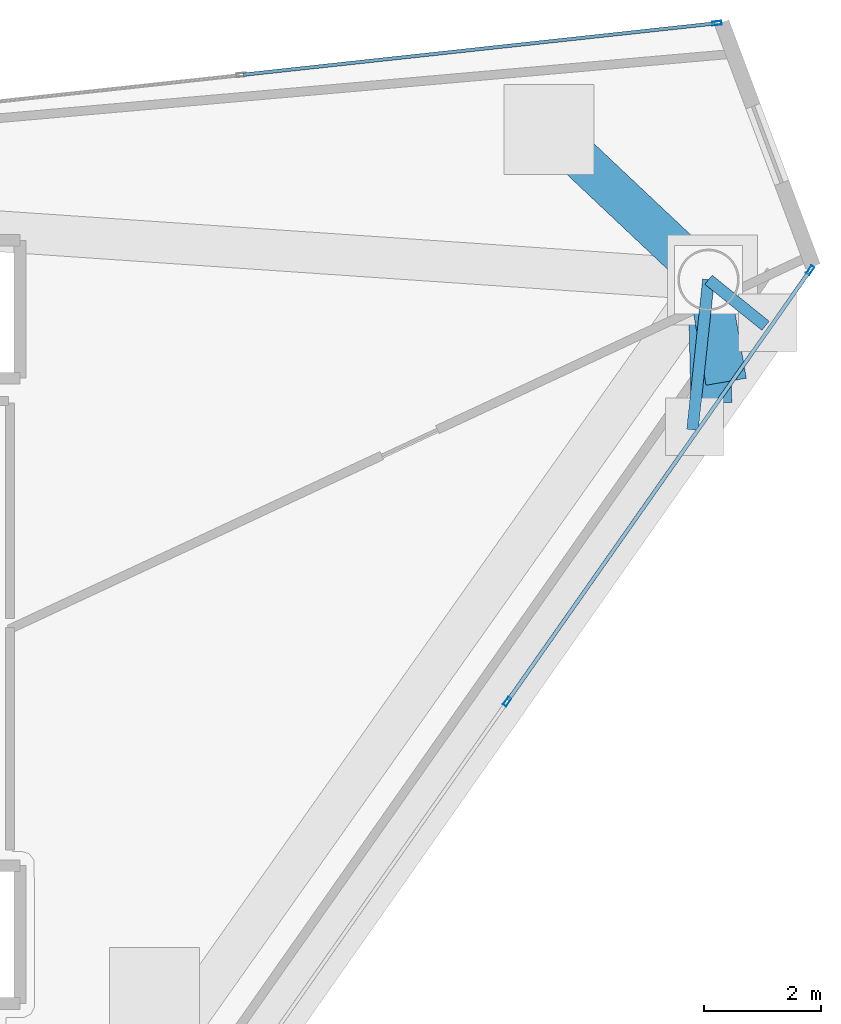
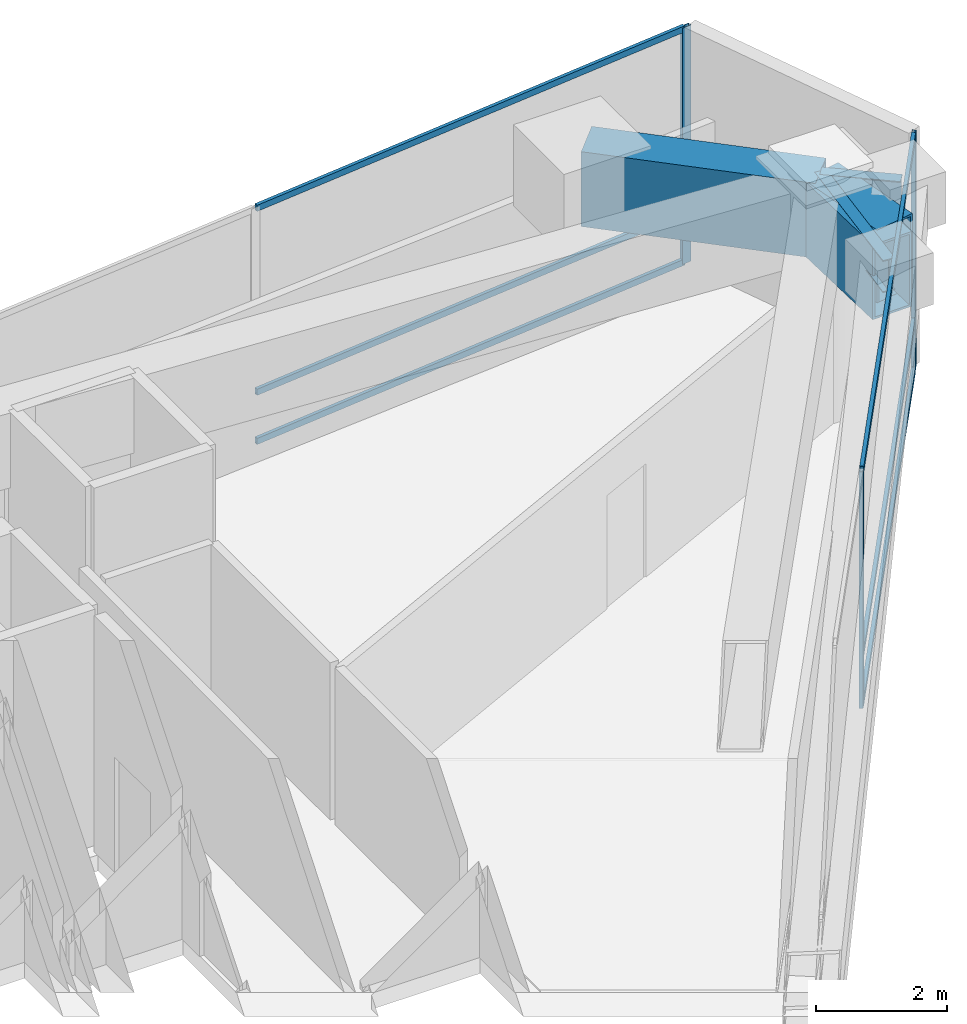
# One storey, part 16 of 21: 9 members, 5 beams, 2 elements without a shape of their own.
"""IFC4 building model written with IfcOpenShell, lengths in metres."""

import ifcopenshell
import ifcopenshell.guid

model = None  # the IFC model being written
_history = None  # IfcOwnerHistory: only IFC2X3 demands one
_inside = {}  # id of a spatial element -> (the spatial element, [elements in it])
_under = {}  # id of a project, library or spatial element -> (it, [spatial elements below it])
_declared = {}  # id of a project -> (the project, [libraries it declares])
_typed = {}  # id of a type object -> (the type object, [elements of that type])
_made_of = {}  # id of a material, layer set ... -> (it, [elements and type objects made of it])


def new_model(schema):
    """Start an empty IFC model of exactly this schema.

    Asked for "IFC4X3", IfcOpenShell would pick the latest addendum, in which some entities
    have other attributes; the version numbers below select the first issue.
    IFC2X3 requires an IfcOwnerHistory on every rooted entity: one is made here for all.
    """
    global model, _history
    if schema == "IFC4X3":
        model = ifcopenshell.file(schema_version=(4, 3, 0, 0))
    else:
        model = ifcopenshell.file(schema=schema)
    _inside.clear()
    _under.clear()
    _declared.clear()
    _typed.clear()
    _made_of.clear()
    _history = None
    if model.schema == "IFC2X3":
        org = make("IfcOrganization", Name="unknown")
        user = make(
            "IfcPersonAndOrganization",
            ThePerson=make("IfcPerson", FamilyName="unknown"),
            TheOrganization=org,
        )
        app = make(
            "IfcApplication",
            ApplicationDeveloper=org,
            Version="unknown",
            ApplicationFullName="unknown",
            ApplicationIdentifier="unknown",
        )
        _history = make(
            "IfcOwnerHistory",
            OwningUser=user,
            OwningApplication=app,
            ChangeAction="ADDED",
            CreationDate=0,
        )
    return model


def make(cls, **values):
    """One entity of the class cls with the attributes given. An attribute that is None is left unset."""
    return model.create_entity(
        cls, **{name: value for name, value in values.items() if value is not None}
    )


def rooted(cls, **values):
    """An entity with a GlobalId (a new one), such as an element, a storey or a relation."""
    return make(cls, GlobalId=ifcopenshell.guid.new(), OwnerHistory=_history, **values)


def si_unit(unit_type, name, prefix=None):
    """IfcSIUnit, for example si_unit("LENGTHUNIT", "METRE", prefix="MILLI")."""
    return make("IfcSIUnit", UnitType=unit_type, Prefix=prefix, Name=name)


def assignment(units):
    """IfcUnitAssignment: the units of a project."""
    return None if units is None else make("IfcUnitAssignment", Units=units)


def point(xyz):
    """IfcCartesianPoint."""
    return None if xyz is None else make("IfcCartesianPoint", Coordinates=xyz)


def direction(xyz):
    """IfcDirection."""
    return None if xyz is None else make("IfcDirection", DirectionRatios=xyz)


def frame(location, z_axis=None, x_axis=None):
    """IfcAxis2Placement3D, a coordinate frame: its origin and axes. An axis left out is left unset."""
    return make(
        "IfcAxis2Placement3D",
        Location=point(location),
        Axis=direction(z_axis),
        RefDirection=direction(x_axis),
    )


def frame_2d(location, x_axis=None):
    """IfcAxis2Placement2D, a coordinate frame in the plane: its origin and x axis."""
    return make(
        "IfcAxis2Placement2D", Location=point(location), RefDirection=direction(x_axis)
    )


def origin():
    """The frame at (0, 0, 0) with its axes left unset."""
    return frame((0.0, 0.0, 0.0))


def origin_2d():
    """The frame at (0, 0) in the plane with its x axis left unset."""
    return frame_2d((0.0, 0.0))


def place(relative_to, where):
    """IfcLocalPlacement: puts the frame where relative to a parent placement (None: the world)."""
    return make(
        "IfcLocalPlacement", PlacementRelTo=relative_to, RelativePlacement=where
    )


def context(
    kind, dimensions, precision=None, world=None, true_north=None, identifier=None
):
    """IfcGeometricRepresentationContext, for example the 3D "Model" context."""
    return make(
        "IfcGeometricRepresentationContext",
        ContextIdentifier=identifier,
        ContextType=kind,
        CoordinateSpaceDimension=dimensions,
        Precision=precision,
        WorldCoordinateSystem=world,
        TrueNorth=true_north,
    )


def subcontext(parent, identifier, kind, view, scale=None):
    """IfcGeometricRepresentationSubContext, for example "Body" below "Model"."""
    return make(
        "IfcGeometricRepresentationSubContext",
        ContextIdentifier=identifier,
        ContextType=kind,
        ParentContext=parent,
        TargetScale=scale,
        TargetView=view,
    )


def project(units=None, contexts=None):
    """IfcProject with its units and contexts."""
    return rooted(
        "IfcProject",
        Name="project",
        RepresentationContexts=contexts,
        UnitsInContext=assignment(units),
    )


def spatial(cls, under=None, at=None, **own):
    """A site, building, storey or space (cls), placed at a placement, below another one or the project."""
    s = rooted(cls, ObjectPlacement=at, **own)
    if under is not None:
        _under.setdefault(under.id(), (under, []))[1].append(s)
    return s


def profile(cls, at=None, kind="AREA", **sizes):
    """A parametric profile (cls). Its sizes go by their IFC names, for example OverallWidth=200.0."""
    return make(cls, ProfileType=kind, Position=at, **sizes)


def hollow_rectangle(**sizes):
    """IfcRectangleHollowProfileDef."""
    return profile("IfcRectangleHollowProfileDef", **sizes)


def i_section(**sizes):
    """IfcIShapeProfileDef."""
    return profile("IfcIShapeProfileDef", **sizes)


def extrude(swept, where, along, depth):
    """IfcExtrudedAreaSolid: the profile swept, set in the frame where, extruded along a direction by depth."""
    return make(
        "IfcExtrudedAreaSolid",
        SweptArea=swept,
        Position=where,
        ExtrudedDirection=direction(along),
        Depth=depth,
    )


def shape(context_of_items, identifier, shape_type, items):
    """IfcShapeRepresentation: the items that make up one representation, for example the "Body"."""
    return make(
        "IfcShapeRepresentation",
        ContextOfItems=context_of_items,
        RepresentationIdentifier=identifier,
        RepresentationType=shape_type,
        Items=items,
    )


def material(Name=None, Category=None):
    """IfcMaterial."""
    return make("IfcMaterial", Name=Name, Category=Category)


def layer(
    of_material, thickness, ventilated=None, Name=None, Category=None, Priority=None
):
    """IfcMaterialLayer: one layer of a wall or slab, of a material (None: an air gap)."""
    return make(
        "IfcMaterialLayer",
        Material=of_material,
        LayerThickness=thickness,
        IsVentilated=ventilated,
        Name=Name,
        Category=Category,
        Priority=Priority,
    )


def layer_set(layers, Name=None):
    """IfcMaterialLayerSet."""
    return make("IfcMaterialLayerSet", MaterialLayers=layers, LayerSetName=Name)


def material_profile(
    of_material, cross_section, Name=None, Category=None, Priority=None
):
    """IfcMaterialProfile: a cross section and its material."""
    return make(
        "IfcMaterialProfile",
        Name=Name,
        Material=of_material,
        Profile=cross_section,
        Priority=Priority,
        Category=Category,
    )


def profile_set(profiles, Name=None, composite=None):
    """IfcMaterialProfileSet."""
    return make(
        "IfcMaterialProfileSet",
        Name=Name,
        MaterialProfiles=profiles,
        CompositeProfile=composite,
    )


def made_of(thing, what):
    """Note that an element or type object is made of a material, layer set ...; save() writes the relation."""
    if what is not None:
        _made_of.setdefault(what.id(), (what, []))[1].append(thing)
    return thing


def type_object(cls, material=None, **own):
    """A type object (cls), such as IfcWallType, which elements share."""
    return made_of(rooted(cls, **own), material)


def element(
    cls,
    number,
    at=None,
    inside=None,
    cuts=None,
    type_object=None,
    material=None,
    context=None,
    identifier="Body",
    shape_type=None,
    held_by="IfcProductDefinitionShape",
    body=None,
    shapes=None,
    **own,
):
    """One element of the class cls, such as IfcWall. Its Tag is "e" and its number.

    at: its placement. inside: the storey or other place that contains it. cuts: it is an
    opening in that element (IfcRelVoidsElement). A single representation is given by context,
    identifier, shape_type and body (its items); several are given by shapes. held_by: the class
    of the entity that holds the representations. save() writes the other relations.
    """
    e = rooted(cls, Tag="e%d" % number, ObjectPlacement=at, **own)
    if body is not None:
        shapes = [shape(context, identifier, shape_type, body)]
    if shapes is not None:
        e.Representation = make(held_by, Representations=shapes)
    if inside is not None:
        _inside.setdefault(inside.id(), (inside, []))[1].append(e)
    if cuts is not None:
        rooted(
            "IfcRelVoidsElement", RelatingBuildingElement=cuts, RelatedOpeningElement=e
        )
    if type_object is not None:
        _typed.setdefault(type_object.id(), (type_object, []))[1].append(e)
    return made_of(e, material)


def aggregate(whole, parts):
    """IfcRelAggregates: a whole, such as a stair, and the parts it consists of."""
    return rooted("IfcRelAggregates", RelatingObject=whole, RelatedObjects=parts)


def save(model, path):
    """Write the relations noted so far, then the file.

    IfcRelAggregates (storeys below a building ...), IfcRelContainedInSpatialStructure (elements
    in a storey), IfcRelDefinesByType, IfcRelAssociatesMaterial and IfcRelDeclares: one each for
    every whole, place, type object, material and project.
    """
    for whole, parts in _under.values():
        aggregate(whole, parts)
    for where, things in _inside.values():
        rooted(
            "IfcRelContainedInSpatialStructure",
            RelatedElements=things,
            RelatingStructure=where,
        )
    for kind, things in _typed.values():
        rooted("IfcRelDefinesByType", RelatedObjects=things, RelatingType=kind)
    for what, things in _made_of.values():
        rooted("IfcRelAssociatesMaterial", RelatedObjects=things, RelatingMaterial=what)
    for by, libraries in _declared.values():
        rooted("IfcRelDeclares", RelatingContext=by, RelatedDefinitions=libraries)
    model.write(path)


model = new_model("IFC4")

# Units and contexts
model_context = context("Model", 3, precision=1e-05, world=origin(), true_north=direction((0.0, 1.0)))
body_context = subcontext(model_context, "Body", "Model", "MODEL_VIEW")
ifc_project = project(units=[si_unit("LENGTHUNIT", "METRE"), si_unit("AREAUNIT", "SQUARE_METRE"), si_unit("VOLUMEUNIT", "CUBIC_METRE"), si_unit("PLANEANGLEUNIT", "RADIAN"), si_unit("MASSUNIT", "GRAM", prefix="KILO")], contexts=[model_context])

# Site, building, storey
site_placement = place(None, origin())
site = spatial("IfcSite", under=ifc_project, at=site_placement, CompositionType="ELEMENT")
building_placement = place(site_placement, origin())
building = spatial("IfcBuilding", under=site, at=building_placement, Name="Qianvela Tower", CompositionType="ELEMENT")
storey_placement = place(building_placement, frame((0.0, 0.0, 276.0)))
storey = spatial("IfcBuildingStorey", under=building, at=storey_placement, Name="L71", CompositionType="ELEMENT", Elevation=276.0)

# Beams
ifc_material_1 = material(Name="Steel Q355B", Category="steel")
ifc_material_profile_1 = material_profile(ifc_material_1, i_section(OverallWidth=0.199951171875, OverallDepth=0.60009765625, WebThickness=0.010986328125, FlangeThickness=0.01708984375, at=origin_2d()), Name="HN600x200x11x17")
ifc_profile_set_1 = profile_set([ifc_material_profile_1], Name="Steel Q355B")
beam_type_1 = type_object("IfcBeamType", Name="BM-HN600-GIRD", PredefinedType="BEAM", material=ifc_profile_set_1)
beam_1_placement = place(storey_placement, frame((55.33203125, 34.60498046875, 4.117919921875), z_axis=(-0.106579871637, -0.994304144094, 0.0), x_axis=(0.994304144094, -0.106579871637, 0.0)))
element("IfcBeam", 1, at=beam_1_placement, inside=storey, type_object=beam_type_1, Name="L71 Mega-Brace Column Tie Bracket F3-1", PredefinedType="BEAM", context=body_context, shape_type="SweptSolid", body=[
    extrude(i_section(OverallWidth=0.199951171875, OverallDepth=0.60009765625, WebThickness=0.010986328125, FlangeThickness=0.01708984375, at=origin_2d()), origin(), (0.0, 0.0, 1.0), 2.58154296875),
])
beam_2_placement = place(storey_placement, frame((55.33203125, 34.60498046875, 4.117919921875), z_axis=(0.778124284556, -0.628110338861, 0.0), x_axis=(0.628110338861, 0.778124284556, 0.0)))
element("IfcBeam", 2, at=beam_2_placement, inside=storey, type_object=beam_type_1, Name="L71 Mega-Brace Column Tie Bracket F3-2", PredefinedType="BEAM", context=body_context, shape_type="SweptSolid", body=[
    extrude(i_section(OverallWidth=0.199951171875, OverallDepth=0.60009765625, WebThickness=0.010986328125, FlangeThickness=0.01708984375, at=origin_2d()), origin(), (0.0, 0.0, 1.0), 1.253173828125),
])
ifc_material_2 = material(Name="Steel Q420GJC", Category="steel")
ifc_material_profile_2 = material_profile(ifc_material_2, hollow_rectangle(XDim=0.699951171875, YDim=1.39990234375, WallThickness=0.0400390625, at=origin_2d()), Name="TG-BOX-1400x700x40")
ifc_profile_set_2 = profile_set([ifc_material_profile_2], Name="Steel Q420GJC")
beam_type_2 = type_object("IfcBeamType", Name="BM-TG-STEP-1400", PredefinedType="BEAM", material=ifc_profile_set_2)
beam_3_placement = place(storey_placement, frame((55.33203125, 34.60498046875, 3.715087890625), z_axis=(0.023300722259, -0.999728501315, 0.0), x_axis=(0.999728501315, 0.023300722259, 0.0)))
element("IfcBeam", 3, at=beam_3_placement, inside=storey, type_object=beam_type_2, Name="L71 Mega-Brace Zone Base Bracket F3-1", PredefinedType="BEAM", context=body_context, shape_type="SweptSolid", body=[
    extrude(hollow_rectangle(XDim=0.699951171875, YDim=1.39990234375, WallThickness=0.0400390625, at=origin_2d()), origin(), (0.0, 0.0, 1.0), 2.10595703125),
])
beam_4_placement = place(storey_placement, frame((55.33203125, 34.60498046875, 3.715087890625), z_axis=(0.17049768376, -0.985358076961, 0.0), x_axis=(0.985358076961, 0.17049768376, 0.0)))
element("IfcBeam", 4, at=beam_4_placement, inside=storey, type_object=beam_type_2, Name="L71 Mega-Brace Zone Base Bracket F3-2", PredefinedType="BEAM", context=body_context, shape_type="SweptSolid", body=[
    extrude(hollow_rectangle(XDim=0.699951171875, YDim=1.39990234375, WallThickness=0.0400390625, at=origin_2d()), origin(), (0.0, 0.0, 1.0), 1.771240234375),
])
beam_5_placement = place(storey_placement, frame((55.33203125, 34.60498046875, 3.718017578125), z_axis=(-0.727680960087, 0.685915753082, 0.0), x_axis=(-0.685915753082, -0.727680960087, 0.0)))
element("IfcBeam", 5, at=beam_5_placement, inside=storey, type_object=beam_type_2, Name="L71 Zone-Step Transfer Girder 1", PredefinedType="BEAM", context=body_context, shape_type="SweptSolid", body=[
    extrude(hollow_rectangle(XDim=0.699951171875, YDim=1.39990234375, WallThickness=0.0400390625, at=origin_2d()), origin(), (0.0, 0.0, 1.0), 3.6884765625),
])

# Curtain wall, members
ifc_material_3 = material(Name="Anodised Architectural Aluminium and Insulated Spandrel Panel", Category="aluminium")
ifc_layer_1 = layer(ifc_material_3, 0.179931640625)
ifc_layer_set_1 = layer_set([ifc_layer_1], Name="Anodised Architectural Aluminium and Insulated Spandrel Panel")
curtain_wall_type_1 = type_object("IfcCurtainWallType", Name="CW-BRACEBAY", PredefinedType="USERDEFINED", material=ifc_layer_set_1)
curtain_wall_1_placement = place(storey_placement, origin())
curtain_wall_1 = element("IfcCurtainWall", 6, at=curtain_wall_1_placement, inside=storey, type_object=curtain_wall_type_1, Name="L71 CW-BRACEBAY Curtain Wall 06B", ObjectType="CURTAIN_WALL_SYSTEM", PredefinedType="USERDEFINED")
ifc_material_4 = material(Name="Anodised Architectural Aluminium 6063-T6", Category="aluminium")
ifc_material_profile_3 = material_profile(ifc_material_4, hollow_rectangle(XDim=0.06494140625, YDim=0.159912109375, WallThickness=0.0048828125, at=origin_2d()), Name="ALU-MULL-65x160")
ifc_profile_set_3 = profile_set([ifc_material_profile_3], Name="Anodised Architectural Aluminium 6063-T6")
member_type_1 = type_object("IfcMemberType", Name="CW-BRACEBAY-MULL", PredefinedType="MULLION", material=ifc_profile_set_3)
member_1_placement = place(storey_placement, frame((51.88720703125, 27.38671875, 0.0), z_axis=(0.0, 0.0, 1.0), x_axis=(-0.818277774652, 0.574823001898, 0.0)))
member_1 = element("IfcMember", 7, at=member_1_placement, type_object=member_type_1, Name="CW-9 mullion 2", PredefinedType="MULLION", context=body_context, shape_type="SweptSolid", body=[
    extrude(hollow_rectangle(XDim=0.06494140625, YDim=0.159912109375, WallThickness=0.0048828125, at=origin_2d()), origin(), (0.0, 0.0, 1.0), 4.419921875),
])
member_2_placement = place(storey_placement, frame((57.072509765625, 34.76806640625, 0.0), z_axis=(0.0, 0.0, 1.0), x_axis=(-0.818277774652, 0.574823001898, 0.0)))
member_2 = element("IfcMember", 8, at=member_2_placement, type_object=member_type_1, Name="CW-9 mullion 3", PredefinedType="MULLION", context=body_context, shape_type="SweptSolid", body=[
    extrude(hollow_rectangle(XDim=0.06494140625, YDim=0.159912109375, WallThickness=0.0048828125, at=origin_2d()), origin(), (0.0, 0.0, 1.0), 4.419921875),
])
ifc_material_5 = material(Name="Anodised Architectural Aluminium 6063-T6", Category="aluminium")
ifc_material_profile_4 = material_profile(ifc_material_5, hollow_rectangle(XDim=0.06494140625, YDim=0.1298828125, WallThickness=0.00439453125, at=origin_2d()), Name="ALU-TRAN-65x130")
ifc_profile_set_4 = profile_set([ifc_material_profile_4], Name="Anodised Architectural Aluminium 6063-T6")
member_type_2 = type_object("IfcMemberType", Name="CW-BRACEBAY-TRAN", PredefinedType="USERDEFINED", material=ifc_profile_set_4)
member_3_placement = place(storey_placement, frame((51.90576171875, 27.413330078125, 0.032470703125), z_axis=(0.574848346927, 0.818259969714, 0.0), x_axis=(-0.818259969714, 0.574848346927, 0.0)))
member_3 = element("IfcMember", 9, at=member_3_placement, type_object=member_type_2, Name="CW-9 transom 2.1", ObjectType="TRANSOM", PredefinedType="USERDEFINED", context=body_context, shape_type="SweptSolid", body=[
    extrude(hollow_rectangle(XDim=0.06494140625, YDim=0.1298828125, WallThickness=0.00439453125, at=origin_2d()), origin(), (0.0, 0.0, 1.0), 8.955810546875),
])
member_4_placement = place(storey_placement, frame((51.90576171875, 27.413330078125, 0.949951171875), z_axis=(0.574848346927, 0.818259969714, 0.0), x_axis=(-0.818259969714, 0.574848346927, 0.0)))
member_4 = element("IfcMember", 10, at=member_4_placement, type_object=member_type_2, Name="CW-9 transom 2.2", ObjectType="TRANSOM", PredefinedType="USERDEFINED", context=body_context, shape_type="SweptSolid", body=[
    extrude(hollow_rectangle(XDim=0.06494140625, YDim=0.1298828125, WallThickness=0.00439453125, at=origin_2d()), origin(), (0.0, 0.0, 1.0), 8.955810546875),
])
member_5_placement = place(storey_placement, frame((51.90576171875, 27.413330078125, 4.387451171875), z_axis=(0.574848346927, 0.818259969714, 0.0), x_axis=(-0.818259969714, 0.574848346927, 0.0)))
member_5 = element("IfcMember", 11, at=member_5_placement, type_object=member_type_2, Name="CW-9 transom 2.3", ObjectType="TRANSOM", PredefinedType="USERDEFINED", context=body_context, shape_type="SweptSolid", body=[
    extrude(hollow_rectangle(XDim=0.06494140625, YDim=0.1298828125, WallThickness=0.00439453125, at=origin_2d()), origin(), (0.0, 0.0, 1.0), 8.955810546875),
])
aggregate(curtain_wall_1, [member_1, member_2, member_3, member_4, member_5])

ifc_material_6 = material(Name="Anodised Architectural Aluminium and Low-E Glass", Category="aluminium")
ifc_layer_2 = layer(ifc_material_6, 0.159912109375)
ifc_layer_set_2 = layer_set([ifc_layer_2], Name="Anodised Architectural Aluminium and Low-E Glass")
curtain_wall_type_2 = type_object("IfcCurtainWallType", Name="CW-COLIV-Z56", PredefinedType="USERDEFINED", material=ifc_layer_set_2)
curtain_wall_2_placement = place(storey_placement, origin())
curtain_wall_2 = element("IfcCurtainWall", 12, at=curtain_wall_2_placement, inside=storey, type_object=curtain_wall_type_2, Name="L71 CW-COLIV-Z56 Curtain Wall 02A", ObjectType="CURTAIN_WALL_SYSTEM", PredefinedType="USERDEFINED")
ifc_material_7 = material(Name="Anodised Architectural Aluminium 6063-T6", Category="aluminium")
ifc_material_profile_5 = material_profile(ifc_material_7, hollow_rectangle(XDim=0.06494140625, YDim=0.159912109375, WallThickness=0.0048828125, at=origin_2d()), Name="ALU-MULL-65x160")
ifc_profile_set_5 = profile_set([ifc_material_profile_5], Name="Anodised Architectural Aluminium 6063-T6")
member_type_3 = type_object("IfcMemberType", Name="CW-COLIV-Z56-MULL", PredefinedType="MULLION", material=ifc_profile_set_5)
member_6_placement = place(storey_placement, frame((55.47607421875, 38.995361328125, 0.0), z_axis=(0.0, 0.0, 1.0), x_axis=(0.108120604534, -0.994137784653, 0.0)))
member_6 = element("IfcMember", 13, at=member_6_placement, type_object=member_type_3, Name="CW-5 mullion 1", PredefinedType="MULLION", context=body_context, shape_type="SweptSolid", body=[
    extrude(hollow_rectangle(XDim=0.06494140625, YDim=0.159912109375, WallThickness=0.0048828125, at=origin_2d()), origin(), (0.0, 0.0, 1.0), 4.419921875),
])
ifc_material_8 = material(Name="Anodised Architectural Aluminium 6063-T6", Category="aluminium")
ifc_material_profile_6 = material_profile(ifc_material_8, hollow_rectangle(XDim=0.06005859375, YDim=0.114990234375, WallThickness=0.00390625, at=origin_2d()), Name="ALU-TRAN-60x115")
ifc_profile_set_6 = profile_set([ifc_material_profile_6], Name="Anodised Architectural Aluminium 6063-T6")
member_type_4 = type_object("IfcMemberType", Name="CW-COLIV-Z56-TRAN", PredefinedType="USERDEFINED", material=ifc_profile_set_6)
member_7_placement = place(storey_placement, frame((55.44384765625, 38.991943359375, 0.030029296875), z_axis=(-0.994138354599, -0.108115363915, 0.0), x_axis=(0.108115363915, -0.994138354599, 0.0)))
member_7 = element("IfcMember", 14, at=member_7_placement, type_object=member_type_4, Name="CW-5 transom 1.1", ObjectType="TRANSOM", PredefinedType="USERDEFINED", context=body_context, shape_type="SweptSolid", body=[
    extrude(hollow_rectangle(XDim=0.06005859375, YDim=0.114990234375, WallThickness=0.00390625, at=origin_2d()), origin(), (0.0, 0.0, 1.0), 8.12255859375),
])
member_8_placement = place(storey_placement, frame((55.44384765625, 38.991943359375, 0.949951171875), z_axis=(-0.994138354599, -0.108115363915, 0.0), x_axis=(0.108115363915, -0.994138354599, 0.0)))
member_8 = element("IfcMember", 15, at=member_8_placement, type_object=member_type_4, Name="CW-5 transom 1.2", ObjectType="TRANSOM", PredefinedType="USERDEFINED", context=body_context, shape_type="SweptSolid", body=[
    extrude(hollow_rectangle(XDim=0.06005859375, YDim=0.114990234375, WallThickness=0.00390625, at=origin_2d()), origin(), (0.0, 0.0, 1.0), 8.12255859375),
])
member_9_placement = place(storey_placement, frame((55.44384765625, 38.991943359375, 4.389892578125), z_axis=(-0.994138354599, -0.108115363915, 0.0), x_axis=(0.108115363915, -0.994138354599, 0.0)))
member_9 = element("IfcMember", 16, at=member_9_placement, type_object=member_type_4, Name="CW-5 transom 1.3", ObjectType="TRANSOM", PredefinedType="USERDEFINED", context=body_context, shape_type="SweptSolid", body=[
    extrude(hollow_rectangle(XDim=0.06005859375, YDim=0.114990234375, WallThickness=0.00390625, at=origin_2d()), origin(), (0.0, 0.0, 1.0), 8.12255859375),
])
aggregate(curtain_wall_2, [member_6, member_7, member_8, member_9])

save(model, "model.ifc")
